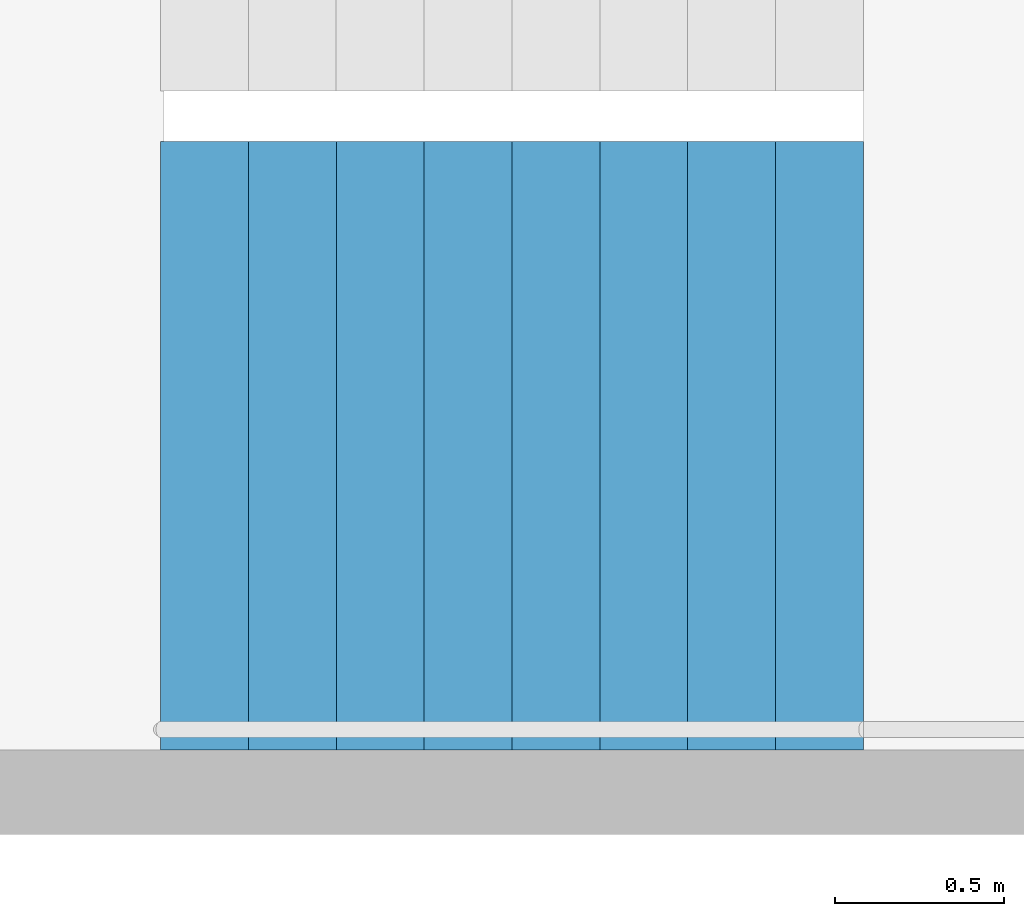
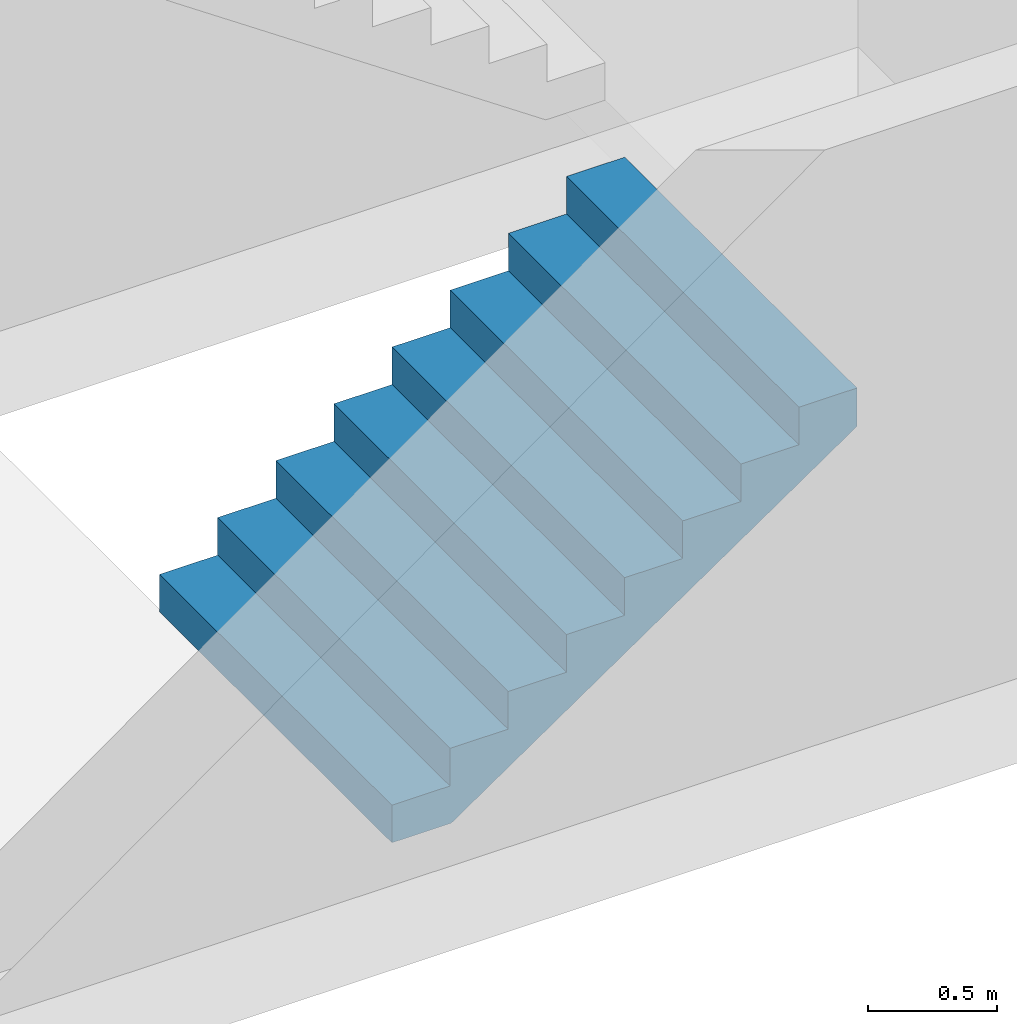
# One storey, part 23 of 29: 1 stair flight, 1 element without a shape of its own.
"""IFC4 building model written with IfcOpenShell, lengths in metres."""

from ifc_helpers import new_model, si_unit, direction, frame, origin, place, context, subcontext, project, spatial, triangles, material, type_object, element, aggregate, save


model = new_model("IFC4")

# Units and contexts
model_context = context("Model", 3, precision=1e-05, world=origin(), true_north=direction((0.0, 1.0)))
body_context = subcontext(model_context, "Body", "Model", "MODEL_VIEW")
ifc_project = project(units=[si_unit("LENGTHUNIT", "METRE"), si_unit("AREAUNIT", "SQUARE_METRE"), si_unit("VOLUMEUNIT", "CUBIC_METRE"), si_unit("PLANEANGLEUNIT", "RADIAN"), si_unit("MASSUNIT", "GRAM", prefix="KILO")], contexts=[model_context])

# Site, building, storey
site_placement = place(None, origin())
site = spatial("IfcSite", under=ifc_project, at=site_placement, CompositionType="ELEMENT")
building_placement = place(site_placement, origin())
building = spatial("IfcBuilding", under=site, at=building_placement, Name="Hakoniwa Tower and Hamabe Station Hall", CompositionType="ELEMENT")
storey_placement = place(building_placement, frame((0.0, 0.0, 45.39990234375)))
storey = spatial("IfcBuildingStorey", under=building, at=storey_placement, Name="L12", CompositionType="ELEMENT", Elevation=45.39990234375)

# Stair, stair flight
ifc_material_1 = material(Name="Concrete C40", Category="concrete")
stair_type = type_object("IfcStairType", Name="ESCAPE STAIR 1800", PredefinedType="HALF_TURN_STAIR", material=ifc_material_1)
stair_placement = place(storey_placement, origin())
stair = element("IfcStair", 1, at=stair_placement, inside=storey, type_object=stair_type, Name="Escape stair ST-1 L12", PredefinedType="HALF_TURN_STAIR")
ifc_material_2 = material(Name="Concrete C40", Category="concrete")
stair_flight_type = type_object("IfcStairFlightType", Name="STAIR FLIGHT 1800", PredefinedType="STRAIGHT", material=ifc_material_2)
stair_flight_placement = place(storey_placement, frame((-24.39990234375, 4.64990234375, 0.0), z_axis=(0.0, 0.0, 1.0), x_axis=(1.0, 0.0, 0.0)))
stair_flight = element("IfcStairFlight", 2, at=stair_flight_placement, type_object=stair_flight_type, Name="ST-1 flight 1", NumberOfRisers=9, NumberOfTreads=8, PredefinedType="STRAIGHT", RiserHeight=0.177777778, TreadLength=0.26, context=body_context, shape_type="Tessellation", body=[
    triangles([(0.0, 0.89990234375, 0.0), (0.260009765625, 0.89990234375, 0.0), (0.265625, 0.89990234375, 0.0), (0.52001953125, 0.89990234375, 0.174072265625), (0.780029296875, 0.89990234375, 0.351806640625), (1.0400390625, 0.89990234375, 0.529541015625), (1.300048828125, 0.89990234375, 0.707275390625), (1.56005859375, 0.89990234375, 0.885009765625), (1.820068359375, 0.89990234375, 1.062744140625), (2.080078125, 0.89990234375, 1.24072265625), (2.080078125, 0.89990234375, 1.422119140625), (1.820068359375, 0.89990234375, 1.422119140625), (1.820068359375, 0.89990234375, 1.244384765625), (1.56005859375, 0.89990234375, 1.244384765625), (1.56005859375, 0.89990234375, 1.066650390625), (1.300048828125, 0.89990234375, 1.066650390625), (1.300048828125, 0.89990234375, 0.888916015625), (1.0400390625, 0.89990234375, 0.888916015625), (1.0400390625, 0.89990234375, 0.711181640625), (0.780029296875, 0.89990234375, 0.711181640625), (0.780029296875, 0.89990234375, 0.533447265625), (0.52001953125, 0.89990234375, 0.533447265625), (0.52001953125, 0.89990234375, 0.35546875), (0.265625, 0.89990234375, 0.35546875), (0.260009765625, 0.89990234375, 0.35546875), (0.260009765625, 0.89990234375, 0.177734375), (0.0, 0.89990234375, 0.177734375), (0.0, 0.06005859375, 0.0), (0.260009765625, 0.06005859375, 0.0), (0.265625, 0.06005859375, 0.0), (0.52001953125, 0.06005859375, 0.174072265625), (0.780029296875, 0.06005859375, 0.351806640625), (1.0400390625, 0.06005859375, 0.529541015625), (1.300048828125, 0.06005859375, 0.707275390625), (1.56005859375, 0.06005859375, 0.885009765625), (1.820068359375, 0.06005859375, 1.062744140625), (2.080078125, 0.06005859375, 1.24072265625), (2.080078125, 0.06005859375, 1.422119140625), (1.820068359375, 0.06005859375, 1.422119140625), (1.820068359375, 0.06005859375, 1.244384765625), (1.56005859375, 0.06005859375, 1.244384765625), (1.56005859375, 0.06005859375, 1.066650390625), (1.300048828125, 0.06005859375, 1.066650390625), (1.300048828125, 0.06005859375, 0.888916015625), (1.0400390625, 0.06005859375, 0.888916015625), (1.0400390625, 0.06005859375, 0.711181640625), (0.780029296875, 0.06005859375, 0.711181640625), (0.780029296875, 0.06005859375, 0.533447265625), (0.52001953125, 0.06005859375, 0.533447265625), (0.52001953125, 0.06005859375, 0.35546875), (0.265625, 0.06005859375, 0.35546875), (0.260009765625, 0.06005859375, 0.35546875), (0.260009765625, 0.06005859375, 0.177734375), (0.0, 0.06005859375, 0.177734375), (0.0, 0.04296875, 0.0), (0.260009765625, 0.04296875, 0.0), (0.265625, 0.04296875, 0.0), (0.52001953125, 0.04296875, 0.174072265625), (0.780029296875, 0.04296875, 0.351806640625), (1.0400390625, 0.04296875, 0.529541015625), (1.300048828125, 0.04296875, 0.707275390625), (1.56005859375, 0.04296875, 0.885009765625), (1.820068359375, 0.04296875, 1.062744140625), (2.080078125, 0.04296875, 1.24072265625), (2.080078125, 0.04296875, 1.422119140625), (1.820068359375, 0.04296875, 1.422119140625), (1.820068359375, 0.04296875, 1.244384765625), (1.56005859375, 0.04296875, 1.244384765625), (1.56005859375, 0.04296875, 1.066650390625), (1.300048828125, 0.04296875, 1.066650390625), (1.300048828125, 0.04296875, 0.888916015625), (1.0400390625, 0.04296875, 0.888916015625), (1.0400390625, 0.04296875, 0.711181640625), (0.780029296875, 0.04296875, 0.711181640625), (0.780029296875, 0.04296875, 0.533447265625), (0.52001953125, 0.04296875, 0.533447265625), (0.52001953125, 0.04296875, 0.35546875), (0.265625, 0.04296875, 0.35546875), (0.260009765625, 0.04296875, 0.35546875), (0.260009765625, 0.04296875, 0.177734375), (0.0, 0.04296875, 0.177734375), (0.0, 0.025634765625, 0.0), (0.260009765625, 0.025634765625, 0.0), (0.265625, 0.025634765625, 0.0), (0.52001953125, 0.025634765625, 0.174072265625), (0.780029296875, 0.025634765625, 0.351806640625), (1.0400390625, 0.025634765625, 0.529541015625), (1.300048828125, 0.025634765625, 0.707275390625), (1.56005859375, 0.025634765625, 0.885009765625), (1.820068359375, 0.025634765625, 1.062744140625), (2.080078125, 0.025634765625, 1.24072265625), (2.080078125, 0.025634765625, 1.422119140625), (1.820068359375, 0.025634765625, 1.422119140625), (1.820068359375, 0.025634765625, 1.244384765625), (1.56005859375, 0.025634765625, 1.244384765625), (1.56005859375, 0.025634765625, 1.066650390625), (1.300048828125, 0.025634765625, 1.066650390625), (1.300048828125, 0.025634765625, 0.888916015625), (1.0400390625, 0.025634765625, 0.888916015625), (1.0400390625, 0.025634765625, 0.711181640625), (0.780029296875, 0.025634765625, 0.711181640625), (0.780029296875, 0.025634765625, 0.533447265625), (0.52001953125, 0.025634765625, 0.533447265625), (0.52001953125, 0.025634765625, 0.35546875), (0.265625, 0.025634765625, 0.35546875), (0.260009765625, 0.025634765625, 0.35546875), (0.260009765625, 0.025634765625, 0.177734375), (0.0, 0.025634765625, 0.177734375), (0.0, 0.008544921875, 0.0), (0.260009765625, 0.008544921875, 0.0), (0.265625, 0.008544921875, 0.0), (0.52001953125, 0.008544921875, 0.174072265625), (0.780029296875, 0.008544921875, 0.351806640625), (1.0400390625, 0.008544921875, 0.529541015625), (1.300048828125, 0.008544921875, 0.707275390625), (1.56005859375, 0.008544921875, 0.885009765625), (1.820068359375, 0.008544921875, 1.062744140625), (2.080078125, 0.008544921875, 1.24072265625), (2.080078125, 0.008544921875, 1.422119140625), (1.820068359375, 0.008544921875, 1.422119140625), (1.820068359375, 0.008544921875, 1.244384765625), (1.56005859375, 0.008544921875, 1.244384765625), (1.56005859375, 0.008544921875, 1.066650390625), (1.300048828125, 0.008544921875, 1.066650390625), (1.300048828125, 0.008544921875, 0.888916015625), (1.0400390625, 0.008544921875, 0.888916015625), (1.0400390625, 0.008544921875, 0.711181640625), (0.780029296875, 0.008544921875, 0.711181640625), (0.780029296875, 0.008544921875, 0.533447265625), (0.52001953125, 0.008544921875, 0.533447265625), (0.52001953125, 0.008544921875, 0.35546875), (0.265625, 0.008544921875, 0.35546875), (0.260009765625, 0.008544921875, 0.35546875), (0.260009765625, 0.008544921875, 0.177734375), (0.0, 0.008544921875, 0.177734375), (0.0, -0.008544921875, 0.0), (0.260009765625, -0.008544921875, 0.0), (0.265625, -0.008544921875, 0.0), (0.52001953125, -0.008544921875, 0.174072265625), (0.780029296875, -0.008544921875, 0.351806640625), (1.0400390625, -0.008544921875, 0.529541015625), (1.300048828125, -0.008544921875, 0.707275390625), (1.56005859375, -0.008544921875, 0.885009765625), (1.820068359375, -0.008544921875, 1.062744140625), (2.080078125, -0.008544921875, 1.24072265625), (2.080078125, -0.008544921875, 1.422119140625), (1.820068359375, -0.008544921875, 1.422119140625), (1.820068359375, -0.008544921875, 1.244384765625), (1.56005859375, -0.008544921875, 1.244384765625), (1.56005859375, -0.008544921875, 1.066650390625), (1.300048828125, -0.008544921875, 1.066650390625), (1.300048828125, -0.008544921875, 0.888916015625), (1.0400390625, -0.008544921875, 0.888916015625), (1.0400390625, -0.008544921875, 0.711181640625), (0.780029296875, -0.008544921875, 0.711181640625), (0.780029296875, -0.008544921875, 0.533447265625), (0.52001953125, -0.008544921875, 0.533447265625), (0.52001953125, -0.008544921875, 0.35546875), (0.265625, -0.008544921875, 0.35546875), (0.260009765625, -0.008544921875, 0.35546875), (0.260009765625, -0.008544921875, 0.177734375), (0.0, -0.008544921875, 0.177734375), (0.0, -0.025634765625, 0.0), (0.260009765625, -0.025634765625, 0.0), (0.265625, -0.025634765625, 0.0), (0.52001953125, -0.025634765625, 0.174072265625), (0.780029296875, -0.025634765625, 0.351806640625), (1.0400390625, -0.025634765625, 0.529541015625), (1.300048828125, -0.025634765625, 0.707275390625), (1.56005859375, -0.025634765625, 0.885009765625), (1.820068359375, -0.025634765625, 1.062744140625), (2.080078125, -0.025634765625, 1.24072265625), (2.080078125, -0.025634765625, 1.422119140625), (1.820068359375, -0.025634765625, 1.422119140625), (1.820068359375, -0.025634765625, 1.244384765625), (1.56005859375, -0.025634765625, 1.244384765625), (1.56005859375, -0.025634765625, 1.066650390625), (1.300048828125, -0.025634765625, 1.066650390625), (1.300048828125, -0.025634765625, 0.888916015625), (1.0400390625, -0.025634765625, 0.888916015625), (1.0400390625, -0.025634765625, 0.711181640625), (0.780029296875, -0.025634765625, 0.711181640625), (0.780029296875, -0.025634765625, 0.533447265625), (0.52001953125, -0.025634765625, 0.533447265625), (0.52001953125, -0.025634765625, 0.35546875), (0.265625, -0.025634765625, 0.35546875), (0.260009765625, -0.025634765625, 0.35546875), (0.260009765625, -0.025634765625, 0.177734375), (0.0, -0.025634765625, 0.177734375), (0.0, -0.04296875, 0.0), (0.260009765625, -0.04296875, 0.0), (0.265625, -0.04296875, 0.0), (0.52001953125, -0.04296875, 0.174072265625), (0.780029296875, -0.04296875, 0.351806640625), (1.0400390625, -0.04296875, 0.529541015625), (1.300048828125, -0.04296875, 0.707275390625), (1.56005859375, -0.04296875, 0.885009765625), (1.820068359375, -0.04296875, 1.062744140625), (2.080078125, -0.04296875, 1.24072265625), (2.080078125, -0.04296875, 1.422119140625), (1.820068359375, -0.04296875, 1.422119140625), (1.820068359375, -0.04296875, 1.244384765625), (1.56005859375, -0.04296875, 1.244384765625), (1.56005859375, -0.04296875, 1.066650390625), (1.300048828125, -0.04296875, 1.066650390625), (1.300048828125, -0.04296875, 0.888916015625), (1.0400390625, -0.04296875, 0.888916015625), (1.0400390625, -0.04296875, 0.711181640625), (0.780029296875, -0.04296875, 0.711181640625), (0.780029296875, -0.04296875, 0.533447265625), (0.52001953125, -0.04296875, 0.533447265625), (0.52001953125, -0.04296875, 0.35546875), (0.265625, -0.04296875, 0.35546875), (0.260009765625, -0.04296875, 0.35546875), (0.260009765625, -0.04296875, 0.177734375), (0.0, -0.04296875, 0.177734375), (0.0, -0.06005859375, 0.0), (0.260009765625, -0.06005859375, 0.0), (0.265625, -0.06005859375, 0.0), (0.52001953125, -0.06005859375, 0.174072265625), (0.780029296875, -0.06005859375, 0.351806640625), (1.0400390625, -0.06005859375, 0.529541015625), (1.300048828125, -0.06005859375, 0.707275390625), (1.56005859375, -0.06005859375, 0.885009765625), (1.820068359375, -0.06005859375, 1.062744140625), (2.080078125, -0.06005859375, 1.24072265625), (2.080078125, -0.06005859375, 1.422119140625), (1.820068359375, -0.06005859375, 1.422119140625), (1.820068359375, -0.06005859375, 1.244384765625), (1.56005859375, -0.06005859375, 1.244384765625), (1.56005859375, -0.06005859375, 1.066650390625), (1.300048828125, -0.06005859375, 1.066650390625), (1.300048828125, -0.06005859375, 0.888916015625), (1.0400390625, -0.06005859375, 0.888916015625), (1.0400390625, -0.06005859375, 0.711181640625), (0.780029296875, -0.06005859375, 0.711181640625), (0.780029296875, -0.06005859375, 0.533447265625), (0.52001953125, -0.06005859375, 0.533447265625), (0.52001953125, -0.06005859375, 0.35546875), (0.265625, -0.06005859375, 0.35546875), (0.260009765625, -0.06005859375, 0.35546875), (0.260009765625, -0.06005859375, 0.177734375), (0.0, -0.06005859375, 0.177734375), (0.0, -0.89990234375, 0.0), (0.260009765625, -0.89990234375, 0.0), (0.265625, -0.89990234375, 0.0), (0.52001953125, -0.89990234375, 0.174072265625), (0.780029296875, -0.89990234375, 0.351806640625), (1.0400390625, -0.89990234375, 0.529541015625), (1.300048828125, -0.89990234375, 0.707275390625), (1.56005859375, -0.89990234375, 0.885009765625), (1.820068359375, -0.89990234375, 1.062744140625), (2.080078125, -0.89990234375, 1.24072265625), (2.080078125, -0.89990234375, 1.422119140625), (1.820068359375, -0.89990234375, 1.422119140625), (1.820068359375, -0.89990234375, 1.244384765625), (1.56005859375, -0.89990234375, 1.244384765625), (1.56005859375, -0.89990234375, 1.066650390625), (1.300048828125, -0.89990234375, 1.066650390625), (1.300048828125, -0.89990234375, 0.888916015625), (1.0400390625, -0.89990234375, 0.888916015625), (1.0400390625, -0.89990234375, 0.711181640625), (0.780029296875, -0.89990234375, 0.711181640625), (0.780029296875, -0.89990234375, 0.533447265625), (0.52001953125, -0.89990234375, 0.533447265625), (0.52001953125, -0.89990234375, 0.35546875), (0.265625, -0.89990234375, 0.35546875), (0.260009765625, -0.89990234375, 0.35546875), (0.260009765625, -0.89990234375, 0.177734375), (0.0, -0.89990234375, 0.177734375)], [[2, 27, 26], [245, 269, 270], [2, 1, 27], [245, 270, 244], [3, 25, 24], [246, 267, 268], [3, 26, 25], [246, 268, 269], [3, 2, 26], [246, 269, 245], [4, 24, 23], [247, 266, 267], [4, 3, 24], [247, 267, 246], [5, 22, 21], [248, 264, 265], [5, 23, 22], [248, 265, 266], [5, 4, 23], [248, 266, 247], [6, 20, 19], [249, 262, 263], [6, 21, 20], [249, 263, 264], [6, 5, 21], [249, 264, 248], [7, 18, 17], [250, 260, 261], [7, 19, 18], [250, 261, 262], [7, 6, 19], [250, 262, 249], [8, 16, 15], [251, 258, 259], [8, 17, 16], [251, 259, 260], [8, 7, 17], [251, 260, 250], [9, 14, 13], [252, 256, 257], [9, 15, 14], [252, 257, 258], [9, 8, 15], [252, 258, 251], [10, 12, 11], [253, 254, 255], [10, 13, 12], [253, 255, 256], [10, 9, 13], [253, 256, 252], [1, 2, 29], [1, 29, 28], [28, 29, 56], [28, 56, 55], [55, 56, 83], [55, 83, 82], [82, 83, 110], [82, 110, 109], [109, 110, 137], [109, 137, 136], [136, 137, 164], [136, 164, 163], [163, 164, 191], [163, 191, 190], [190, 191, 218], [190, 218, 217], [217, 218, 245], [217, 245, 244], [2, 3, 30], [2, 30, 29], [29, 30, 57], [29, 57, 56], [56, 57, 84], [56, 84, 83], [83, 84, 111], [83, 111, 110], [110, 111, 138], [110, 138, 137], [137, 138, 165], [137, 165, 164], [164, 165, 192], [164, 192, 191], [191, 192, 219], [191, 219, 218], [218, 219, 246], [218, 246, 245], [3, 4, 31], [3, 31, 30], [30, 31, 58], [30, 58, 57], [57, 58, 85], [57, 85, 84], [84, 85, 112], [84, 112, 111], [111, 112, 139], [111, 139, 138], [138, 139, 166], [138, 166, 165], [165, 166, 193], [165, 193, 192], [192, 193, 220], [192, 220, 219], [219, 220, 247], [219, 247, 246], [4, 5, 32], [4, 32, 31], [31, 32, 59], [31, 59, 58], [58, 59, 86], [58, 86, 85], [85, 86, 113], [85, 113, 112], [112, 113, 140], [112, 140, 139], [139, 140, 167], [139, 167, 166], [166, 167, 194], [166, 194, 193], [193, 194, 221], [193, 221, 220], [220, 221, 248], [220, 248, 247], [5, 6, 33], [5, 33, 32], [32, 33, 60], [32, 60, 59], [59, 60, 87], [59, 87, 86], [86, 87, 114], [86, 114, 113], [113, 114, 141], [113, 141, 140], [140, 141, 168], [140, 168, 167], [167, 168, 195], [167, 195, 194], [194, 195, 222], [194, 222, 221], [221, 222, 249], [221, 249, 248], [6, 7, 34], [6, 34, 33], [33, 34, 61], [33, 61, 60], [60, 61, 88], [60, 88, 87], [87, 88, 115], [87, 115, 114], [114, 115, 142], [114, 142, 141], [141, 142, 169], [141, 169, 168], [168, 169, 196], [168, 196, 195], [195, 196, 223], [195, 223, 222], [222, 223, 250], [222, 250, 249], [7, 8, 35], [7, 35, 34], [34, 35, 62], [34, 62, 61], [61, 62, 89], [61, 89, 88], [88, 89, 116], [88, 116, 115], [115, 116, 143], [115, 143, 142], [142, 143, 170], [142, 170, 169], [169, 170, 197], [169, 197, 196], [196, 197, 224], [196, 224, 223], [223, 224, 251], [223, 251, 250], [8, 9, 36], [8, 36, 35], [35, 36, 63], [35, 63, 62], [62, 63, 90], [62, 90, 89], [89, 90, 117], [89, 117, 116], [116, 117, 144], [116, 144, 143], [143, 144, 171], [143, 171, 170], [170, 171, 198], [170, 198, 197], [197, 198, 225], [197, 225, 224], [224, 225, 252], [224, 252, 251], [9, 10, 37], [9, 37, 36], [36, 37, 64], [36, 64, 63], [63, 64, 91], [63, 91, 90], [90, 91, 118], [90, 118, 117], [117, 118, 145], [117, 145, 144], [144, 145, 172], [144, 172, 171], [171, 172, 199], [171, 199, 198], [198, 199, 226], [198, 226, 225], [225, 226, 253], [225, 253, 252], [10, 11, 38], [10, 38, 37], [37, 38, 65], [37, 65, 64], [64, 65, 92], [64, 92, 91], [91, 92, 119], [91, 119, 118], [118, 119, 146], [118, 146, 145], [145, 146, 173], [145, 173, 172], [172, 173, 200], [172, 200, 199], [199, 200, 227], [199, 227, 226], [226, 227, 254], [226, 254, 253], [11, 12, 39], [11, 39, 38], [38, 39, 66], [38, 66, 65], [65, 66, 93], [65, 93, 92], [92, 93, 120], [92, 120, 119], [119, 120, 147], [119, 147, 146], [146, 147, 174], [146, 174, 173], [173, 174, 201], [173, 201, 200], [200, 201, 228], [200, 228, 227], [227, 228, 255], [227, 255, 254], [12, 13, 40], [12, 40, 39], [39, 40, 67], [39, 67, 66], [66, 67, 94], [66, 94, 93], [93, 94, 121], [93, 121, 120], [120, 121, 148], [120, 148, 147], [147, 148, 175], [147, 175, 174], [174, 175, 202], [174, 202, 201], [201, 202, 229], [201, 229, 228], [228, 229, 256], [228, 256, 255], [13, 14, 41], [13, 41, 40], [40, 41, 68], [40, 68, 67], [67, 68, 95], [67, 95, 94], [94, 95, 122], [94, 122, 121], [121, 122, 149], [121, 149, 148], [148, 149, 176], [148, 176, 175], [175, 176, 203], [175, 203, 202], [202, 203, 230], [202, 230, 229], [229, 230, 257], [229, 257, 256], [14, 15, 42], [14, 42, 41], [41, 42, 69], [41, 69, 68], [68, 69, 96], [68, 96, 95], [95, 96, 123], [95, 123, 122], [122, 123, 150], [122, 150, 149], [149, 150, 177], [149, 177, 176], [176, 177, 204], [176, 204, 203], [203, 204, 231], [203, 231, 230], [230, 231, 258], [230, 258, 257], [15, 16, 43], [15, 43, 42], [42, 43, 70], [42, 70, 69], [69, 70, 97], [69, 97, 96], [96, 97, 124], [96, 124, 123], [123, 124, 151], [123, 151, 150], [150, 151, 178], [150, 178, 177], [177, 178, 205], [177, 205, 204], [204, 205, 232], [204, 232, 231], [231, 232, 259], [231, 259, 258], [16, 17, 44], [16, 44, 43], [43, 44, 71], [43, 71, 70], [70, 71, 98], [70, 98, 97], [97, 98, 125], [97, 125, 124], [124, 125, 152], [124, 152, 151], [151, 152, 179], [151, 179, 178], [178, 179, 206], [178, 206, 205], [205, 206, 233], [205, 233, 232], [232, 233, 260], [232, 260, 259], [17, 18, 45], [17, 45, 44], [44, 45, 72], [44, 72, 71], [71, 72, 99], [71, 99, 98], [98, 99, 126], [98, 126, 125], [125, 126, 153], [125, 153, 152], [152, 153, 180], [152, 180, 179], [179, 180, 207], [179, 207, 206], [206, 207, 234], [206, 234, 233], [233, 234, 261], [233, 261, 260], [18, 19, 46], [18, 46, 45], [45, 46, 73], [45, 73, 72], [72, 73, 100], [72, 100, 99], [99, 100, 127], [99, 127, 126], [126, 127, 154], [126, 154, 153], [153, 154, 181], [153, 181, 180], [180, 181, 208], [180, 208, 207], [207, 208, 235], [207, 235, 234], [234, 235, 262], [234, 262, 261], [19, 20, 47], [19, 47, 46], [46, 47, 74], [46, 74, 73], [73, 74, 101], [73, 101, 100], [100, 101, 128], [100, 128, 127], [127, 128, 155], [127, 155, 154], [154, 155, 182], [154, 182, 181], [181, 182, 209], [181, 209, 208], [208, 209, 236], [208, 236, 235], [235, 236, 263], [235, 263, 262], [20, 21, 48], [20, 48, 47], [47, 48, 75], [47, 75, 74], [74, 75, 102], [74, 102, 101], [101, 102, 129], [101, 129, 128], [128, 129, 156], [128, 156, 155], [155, 156, 183], [155, 183, 182], [182, 183, 210], [182, 210, 209], [209, 210, 237], [209, 237, 236], [236, 237, 264], [236, 264, 263], [21, 22, 49], [21, 49, 48], [48, 49, 76], [48, 76, 75], [75, 76, 103], [75, 103, 102], [102, 103, 130], [102, 130, 129], [129, 130, 157], [129, 157, 156], [156, 157, 184], [156, 184, 183], [183, 184, 211], [183, 211, 210], [210, 211, 238], [210, 238, 237], [237, 238, 265], [237, 265, 264], [22, 23, 50], [22, 50, 49], [49, 50, 77], [49, 77, 76], [76, 77, 104], [76, 104, 103], [103, 104, 131], [103, 131, 130], [130, 131, 158], [130, 158, 157], [157, 158, 185], [157, 185, 184], [184, 185, 212], [184, 212, 211], [211, 212, 239], [211, 239, 238], [238, 239, 266], [238, 266, 265], [23, 24, 51], [23, 51, 50], [50, 51, 78], [50, 78, 77], [77, 78, 105], [77, 105, 104], [104, 105, 132], [104, 132, 131], [131, 132, 159], [131, 159, 158], [158, 159, 186], [158, 186, 185], [185, 186, 213], [185, 213, 212], [212, 213, 240], [212, 240, 239], [239, 240, 267], [239, 267, 266], [24, 25, 52], [24, 52, 51], [51, 52, 79], [51, 79, 78], [78, 79, 106], [78, 106, 105], [105, 106, 133], [105, 133, 132], [132, 133, 160], [132, 160, 159], [159, 160, 187], [159, 187, 186], [186, 187, 214], [186, 214, 213], [213, 214, 241], [213, 241, 240], [240, 241, 268], [240, 268, 267], [25, 26, 53], [25, 53, 52], [52, 53, 80], [52, 80, 79], [79, 80, 107], [79, 107, 106], [106, 107, 134], [106, 134, 133], [133, 134, 161], [133, 161, 160], [160, 161, 188], [160, 188, 187], [187, 188, 215], [187, 215, 214], [214, 215, 242], [214, 242, 241], [241, 242, 269], [241, 269, 268], [26, 27, 54], [26, 54, 53], [53, 54, 81], [53, 81, 80], [80, 81, 108], [80, 108, 107], [107, 108, 135], [107, 135, 134], [134, 135, 162], [134, 162, 161], [161, 162, 189], [161, 189, 188], [188, 189, 216], [188, 216, 215], [215, 216, 243], [215, 243, 242], [242, 243, 270], [242, 270, 269], [27, 1, 28], [27, 28, 54], [54, 28, 55], [54, 55, 81], [81, 55, 82], [81, 82, 108], [108, 82, 109], [108, 109, 135], [135, 109, 136], [135, 136, 162], [162, 136, 163], [162, 163, 189], [189, 163, 190], [189, 190, 216], [216, 190, 217], [216, 217, 243], [243, 217, 244], [243, 244, 270]], closed=True),
])
aggregate(stair, [stair_flight])

save(model, "model.ifc")
